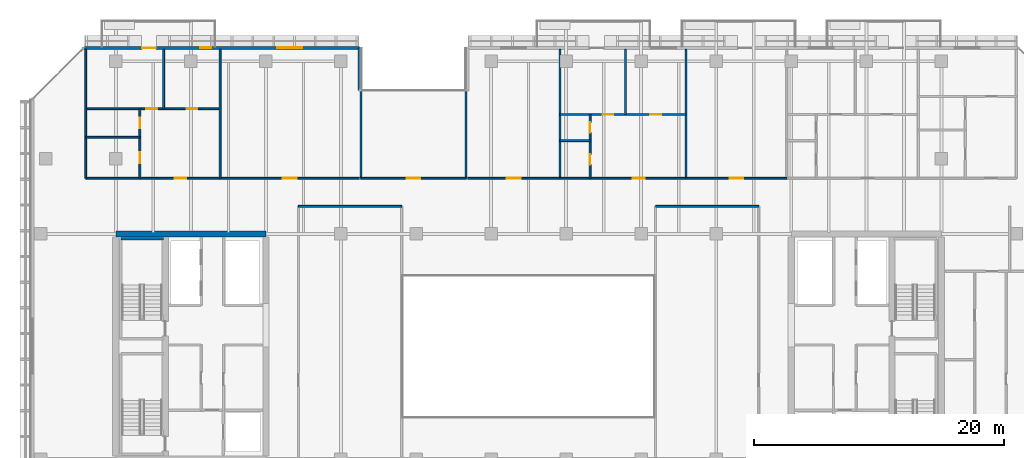
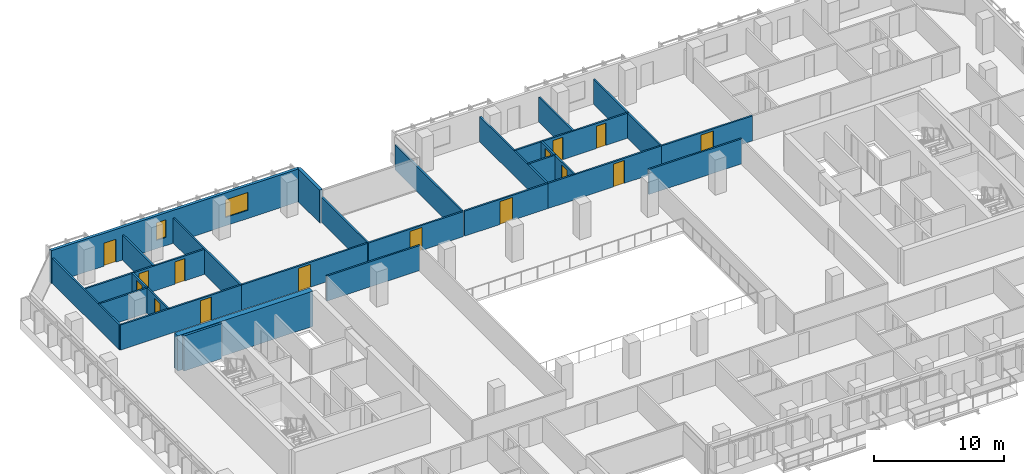
# One storey, part 26 of 35: 26 walls, 15 doors, 2 windows, 17 openings.
"""IFC4 building model written with IfcOpenShell, lengths in metres."""

from ifc_helpers import new_model, si_unit, direction, frame, frame_2d, origin, place, context, subcontext, project, spatial, rectangle, extrude, material, layer, layer_set, type_object, element, fill, save


model = new_model("IFC4")

# Units and contexts
model_context = context("Model", 3, precision=1e-05, world=origin(), true_north=direction((0.0, 1.0)))
body_context = subcontext(model_context, "Body", "Model", "MODEL_VIEW")
ifc_project = project(units=[si_unit("LENGTHUNIT", "METRE"), si_unit("AREAUNIT", "SQUARE_METRE"), si_unit("VOLUMEUNIT", "CUBIC_METRE"), si_unit("PLANEANGLEUNIT", "RADIAN"), si_unit("MASSUNIT", "GRAM", prefix="KILO")], contexts=[model_context])

# Site, building, storey
site_placement = place(None, origin())
site = spatial("IfcSite", under=ifc_project, at=site_placement, CompositionType="ELEMENT")
building_placement = place(site_placement, origin())
building = spatial("IfcBuilding", under=site, at=building_placement, Name="Tanjung Sevakor Pilgrim Tower", CompositionType="ELEMENT")
storey_placement = place(building_placement, frame((0.0, 0.0, 92.070068359375)))
storey = spatial("IfcBuildingStorey", under=building, at=storey_placement, Name="L25", CompositionType="ELEMENT", Elevation=92.070068359375)

# Walls
ifc_material_1 = material(Name="Concrete C60/75", Category="concrete")
ifc_layer_1 = layer(ifc_material_1, 0.5)
ifc_layer_set_1 = layer_set([ifc_layer_1], Name="WALL-CW-500")
wall_type_1 = type_object("IfcWallType", Name="WALL-CW-500", PredefinedType="SHEAR", material=ifc_layer_set_1)
wall_1_placement = place(storey_placement, frame((36.0, 42.60009765625, 0.0), z_axis=(0.0, 0.0, 1.0), x_axis=(-1.0, 0.0, 0.0)))
element("IfcWall", 1, at=wall_1_placement, inside=storey, type_object=wall_type_1, Name="L25 W Core North Shear Wall", PredefinedType="SHEAR", context=body_context, shape_type="SweptSolid", body=[
    extrude(rectangle(XDim=12.0, YDim=0.5, at=frame_2d((6.0, 0.0))), origin(), (0.0, 0.0, 1.0), 3.300048828125),
])
ifc_material_2 = material(Name="Concrete C40/50", Category="concrete")
ifc_layer_2 = layer(ifc_material_2, 0.14990234375)
ifc_layer_set_2 = layer_set([ifc_layer_2], Name="WT-COMP-150")
wall_type_2 = type_object("IfcWallType", Name="WT-COMP-150", PredefinedType="SOLIDWALL", material=ifc_layer_set_2)
for number, where, z_axis, x_axis, name in (
    (2, (38.60009765625, 44.800048828125, 0.0), (0.0, 0.0, 1.0), (1.0, 0.0, 0.0), "L25 Partition IW-L25-022"),
    (3, (67.14990234375, 44.800048828125, 0.0), (0.0, 0.0, 1.0), (1.0, 0.0, 0.0), "L25 Partition IW-L25-026"),
):
    element("IfcWall", number, at=place(storey_placement, frame(where, z_axis=z_axis, x_axis=x_axis)), inside=storey, type_object=wall_type_2, Name=name, PredefinedType="SOLIDWALL", context=body_context, shape_type="SweptSolid", body=[
        extrude(rectangle(XDim=8.25, YDim=0.14990234375, at=frame_2d((4.125, 0.0))), origin(), (0.0, 0.0, 1.0), 2.35009765625),
    ])

# Wall, opening, door
wall_2_placement = place(storey_placement, frame((43.60009765625, 47.050048828125, 0.0), z_axis=(0.0, 0.0, 1.0), x_axis=(1.0, 0.0, 0.0)))
wall_2 = element("IfcWall", 4, at=wall_2_placement, inside=storey, type_object=wall_type_2, Name="L25 Partition IW-L25-040", PredefinedType="SOLIDWALL", context=body_context, shape_type="SweptSolid", body=[
    extrude(rectangle(XDim=8.39990234375, YDim=0.14990234375, at=frame_2d((4.199951171875, 0.0))), origin(), (0.0, 0.0, 1.0), 2.35009765625),
])
opening_1_placement = place(wall_2_placement, frame((3.64990234375, 0.0, 0.0)))
opening_1 = element("IfcOpeningElement", 5, at=opening_1_placement, cuts=wall_2, Name="Opening ID-RM2", PredefinedType="OPENING", context=body_context, shape_type="SweptSolid", body=[
    extrude(rectangle(XDim=1.10009765625, YDim=2.14990234375, at=frame_2d((0.550048828125, 1.074951171875))), frame((0.0, 0.0849609375, 0.0), z_axis=(0.0, -1.0, 0.0), x_axis=(1.0, 0.0, 0.0)), (0.0, 0.0, 1.0), 0.169921875),
])
ifc_material_3 = material(Name="Hardwood Timber", Category="wood")
door_type_1 = type_object("IfcDoorType", Name="DT-INT-1100", OperationType="NOTDEFINED", PredefinedType="DOOR", material=ifc_material_3)
door_1_placement = place(opening_1_placement, origin())
door_1 = element("IfcDoor", 6, at=door_1_placement, inside=storey, type_object=door_type_1, Name="L25 North Cleft Reading Room Door", OperationType="SINGLE_SWING_RIGHT", OverallHeight=2.14990234375, OverallWidth=1.10009765625, PredefinedType="DOOR", context=body_context, shape_type="SweptSolid", body=[
    extrude(rectangle(XDim=1.10009765625, YDim=2.14990234375, at=frame_2d((0.550048828125, 1.074951171875))), frame((0.0, 0.02490234375, 0.0), z_axis=(0.0, -1.0, 0.0), x_axis=(1.0, 0.0, 0.0)), (0.0, 0.0, 1.0), 0.050048828125),
])
fill(opening_1, door_1)

# Walls
for number, where, z_axis, x_axis, name in (
    (7, (43.60009765625, 47.050048828125, 0.0), (0.0, 0.0, 1.0), (0.0, 1.0, 0.0), "L25 Partition IW-L25-041"),
    (8, (52.0, 47.050048828125, 0.0), (0.0, 0.0, 1.0), (0.0, 1.0, 0.0), "L25 Partition IW-L25-042"),
    (9, (21.60009765625, 47.050048828125, 0.0), (0.0, 0.0, 1.0), (0.0, 1.0, 0.0), "L25 Partition IW-L25-075"),
    (10, (32.335693359375, 47.050048828125, 0.0), (0.0, 0.0, 1.0), (0.0, 1.0, 0.0), "L25 Partition IW-L25-076"),
):
    element("IfcWall", number, at=place(storey_placement, frame(where, z_axis=z_axis, x_axis=x_axis)), inside=storey, type_object=wall_type_2, Name=name, PredefinedType="SOLIDWALL", context=body_context, shape_type="SweptSolid", body=[
        extrude(rectangle(XDim=10.300048828125, YDim=0.14990234375, at=frame_2d((5.14990234375, 0.0))), origin(), (0.0, 0.0, 1.0), 2.35009765625),
    ])

# Wall, opening, door
wall_3_placement = place(storey_placement, frame((21.60009765625, 47.050048828125, 0.0), z_axis=(0.0, 0.0, 1.0), x_axis=(1.0, 0.0, 0.0)))
wall_3 = element("IfcWall", 11, at=wall_3_placement, inside=storey, type_object=wall_type_2, Name="L25 Partition IW-L25-081", PredefinedType="SOLIDWALL", context=body_context, shape_type="SweptSolid", body=[
    extrude(rectangle(XDim=10.735595703125, YDim=0.14990234375, at=frame_2d((5.36767578125, 0.0))), origin(), (0.0, 0.0, 1.0), 2.35009765625),
])
opening_2_placement = place(wall_3_placement, frame((7.093017578125, 0.0, 0.0)))
opening_2 = element("IfcOpeningElement", 12, at=opening_2_placement, cuts=wall_3, Name="Opening ID-FD2", PredefinedType="OPENING", context=body_context, shape_type="SweptSolid", body=[
    extrude(rectangle(XDim=0.949951171875, YDim=2.14990234375, at=frame_2d((0.47509765625, 1.074951171875))), frame((0.0, 0.0849609375, 0.0), z_axis=(0.0, -1.0, 0.0), x_axis=(1.0, 0.0, 0.0)), (0.0, 0.0, 1.0), 0.169921875),
])
ifc_material_4 = material(Name="Fire-Rated Timber", Category="wood")
door_type_2 = type_object("IfcDoorType", Name="DT-FIRE-950", OperationType="NOTDEFINED", PredefinedType="DOOR", material=ifc_material_4)
door_2_placement = place(opening_2_placement, origin())
door_2 = element("IfcDoor", 13, at=door_2_placement, inside=storey, type_object=door_type_2, Name="Suite Entrance", OperationType="SINGLE_SWING_RIGHT", OverallHeight=2.14990234375, OverallWidth=0.949951171875, PredefinedType="DOOR", context=body_context, shape_type="SweptSolid", body=[
    extrude(rectangle(XDim=0.949951171875, YDim=2.14990234375, at=frame_2d((0.47509765625, 1.074951171875))), frame((0.0, 0.02490234375, 0.0), z_axis=(0.0, -1.0, 0.0), x_axis=(1.0, 0.0, 0.0)), (0.0, 0.0, 1.0), 0.050048828125),
])
fill(opening_2, door_2)

wall_4_placement = place(storey_placement, frame((32.335693359375, 47.050048828125, 0.0), z_axis=(0.0, 0.0, 1.0), x_axis=(1.0, 0.0, 0.0)))
wall_4 = element("IfcWall", 14, at=wall_4_placement, inside=storey, type_object=wall_type_2, Name="L25 Partition IW-L25-082", PredefinedType="SOLIDWALL", context=body_context, shape_type="SweptSolid", body=[
    extrude(rectangle(XDim=11.144287109375, YDim=0.14990234375, at=frame_2d((5.572265625, 0.0))), origin(), (0.0, 0.0, 1.0), 2.35009765625),
])
opening_3_placement = place(wall_4_placement, frame((5.022216796875, 0.0, 0.0)))
opening_3 = element("IfcOpeningElement", 15, at=opening_3_placement, cuts=wall_4, Name="Opening ID-FD0", PredefinedType="OPENING", context=body_context, shape_type="SweptSolid", body=[
    extrude(rectangle(XDim=1.10009765625, YDim=2.14990234375, at=frame_2d((0.550048828125, 1.074951171875))), frame((0.0, 0.0849609375, 0.0), z_axis=(0.0, -1.0, 0.0), x_axis=(1.0, 0.0, 0.0)), (0.0, 0.0, 1.0), 0.169921875),
])
ifc_material_5 = material(Name="Fire-Rated Steel S355J2", Category="steel")
door_type_3 = type_object("IfcDoorType", Name="DT-FIRE-1100", OperationType="NOTDEFINED", PredefinedType="DOOR", material=ifc_material_5)
door_3_placement = place(opening_3_placement, origin())
door_3 = element("IfcDoor", 16, at=door_3_placement, inside=storey, type_object=door_type_3, Name="Seminar Room Door", OperationType="SINGLE_SWING_LEFT", OverallHeight=2.14990234375, OverallWidth=1.10009765625, PredefinedType="DOOR", context=body_context, shape_type="SweptSolid", body=[
    extrude(rectangle(XDim=1.10009765625, YDim=2.14990234375, at=frame_2d((0.550048828125, 1.074951171875))), frame((0.0, 0.02490234375, 0.0), z_axis=(0.0, -1.0, 0.0), x_axis=(1.0, 0.0, 0.0)), (0.0, 0.0, 1.0), 0.050048828125),
])
fill(opening_3, door_3)

# Wall
wall_5_placement = place(storey_placement, frame((59.508056640625, 47.050048828125, 0.0), z_axis=(0.0, 0.0, 1.0), x_axis=(0.0, 1.0, 0.0)))
element("IfcWall", 17, at=wall_5_placement, inside=storey, type_object=wall_type_2, Name="L25 Partition IW-L25-084", PredefinedType="SOLIDWALL", context=body_context, shape_type="SweptSolid", body=[
    extrude(rectangle(XDim=10.300048828125, YDim=0.14990234375, at=frame_2d((5.14990234375, 0.0))), origin(), (0.0, 0.0, 1.0), 2.35009765625),
])

# Wall, opening, door
wall_6_placement = place(storey_placement, frame((52.1201171875, 47.050048828125, 0.0), z_axis=(0.0, 0.0, 1.0), x_axis=(1.0, 0.0, 0.0)))
wall_6 = element("IfcWall", 18, at=wall_6_placement, inside=storey, type_object=wall_type_2, Name="L25 Partition IW-L25-085", PredefinedType="SOLIDWALL", context=body_context, shape_type="SweptSolid", body=[
    extrude(rectangle(XDim=7.387939453125, YDim=0.14990234375, at=frame_2d((3.69384765625, 0.0))), origin(), (0.0, 0.0, 1.0), 2.35009765625),
])
opening_4_placement = place(wall_6_placement, frame((3.14404296875, 0.0, 0.0)))
opening_4 = element("IfcOpeningElement", 19, at=opening_4_placement, cuts=wall_6, Name="Opening ID-FD0", PredefinedType="OPENING", context=body_context, shape_type="SweptSolid", body=[
    extrude(rectangle(XDim=1.10009765625, YDim=2.14990234375, at=frame_2d((0.550048828125, 1.074951171875))), frame((0.0, 0.0849609375, 0.0), z_axis=(0.0, -1.0, 0.0), x_axis=(1.0, 0.0, 0.0)), (0.0, 0.0, 1.0), 0.169921875),
])
door_4_placement = place(opening_4_placement, origin())
door_4 = element("IfcDoor", 20, at=door_4_placement, inside=storey, type_object=door_type_3, Name="Council Room Door", OperationType="SINGLE_SWING_RIGHT", OverallHeight=2.14990234375, OverallWidth=1.10009765625, PredefinedType="DOOR", context=body_context, shape_type="SweptSolid", body=[
    extrude(rectangle(XDim=1.10009765625, YDim=2.14990234375, at=frame_2d((0.550048828125, 1.074951171875))), frame((0.0, 0.02490234375, 0.0), z_axis=(0.0, -1.0, 0.0), x_axis=(1.0, 0.0, 0.0)), (0.0, 0.0, 1.0), 0.050048828125),
])
fill(opening_4, door_4)

# Wall
wall_7_placement = place(storey_placement, frame((69.58251953125, 47.050048828125, 0.0), z_axis=(0.0, 0.0, 1.0), x_axis=(0.0, 1.0, 0.0)))
element("IfcWall", 21, at=wall_7_placement, inside=storey, type_object=wall_type_2, Name="L25 Partition IW-L25-086", PredefinedType="SOLIDWALL", context=body_context, shape_type="SweptSolid", body=[
    extrude(rectangle(XDim=10.300048828125, YDim=0.14990234375, at=frame_2d((5.14990234375, 0.0))), origin(), (0.0, 0.0, 1.0), 2.35009765625),
])

# Wall, opening, door
wall_8_placement = place(storey_placement, frame((59.508056640625, 47.050048828125, 0.0), z_axis=(0.0, 0.0, 1.0), x_axis=(1.0, 0.0, 0.0)))
wall_8 = element("IfcWall", 22, at=wall_8_placement, inside=storey, type_object=wall_type_2, Name="L25 Partition IW-L25-091", PredefinedType="SOLIDWALL", context=body_context, shape_type="SweptSolid", body=[
    extrude(rectangle(XDim=10.074462890625, YDim=0.14990234375, at=frame_2d((5.037109375, 0.0))), origin(), (0.0, 0.0, 1.0), 2.35009765625),
])
opening_5_placement = place(wall_8_placement, frame((5.808349609375, 0.0, 0.0)))
opening_5 = element("IfcOpeningElement", 23, at=opening_5_placement, cuts=wall_8, Name="Opening ID-FD2", PredefinedType="OPENING", context=body_context, shape_type="SweptSolid", body=[
    extrude(rectangle(XDim=0.949951171875, YDim=2.14990234375, at=frame_2d((0.47509765625, 1.074951171875))), frame((0.0, 0.0849609375, 0.0), z_axis=(0.0, -1.0, 0.0), x_axis=(1.0, 0.0, 0.0)), (0.0, 0.0, 1.0), 0.169921875),
])
door_5_placement = place(opening_5_placement, origin())
door_5 = element("IfcDoor", 24, at=door_5_placement, inside=storey, type_object=door_type_2, Name="Suite Entrance", OperationType="SINGLE_SWING_LEFT", OverallHeight=2.14990234375, OverallWidth=0.949951171875, PredefinedType="DOOR", context=body_context, shape_type="SweptSolid", body=[
    extrude(rectangle(XDim=0.949951171875, YDim=2.14990234375, at=frame_2d((0.47509765625, 1.074951171875))), frame((0.0, 0.02490234375, 0.0), z_axis=(0.0, -1.0, 0.0), x_axis=(1.0, 0.0, 0.0)), (0.0, 0.0, 1.0), 0.050048828125),
])
fill(opening_5, door_5)

wall_9_placement = place(storey_placement, frame((69.58251953125, 47.050048828125, 0.0), z_axis=(0.0, 0.0, 1.0), x_axis=(1.0, 0.0, 0.0)))
wall_9 = element("IfcWall", 25, at=wall_9_placement, inside=storey, type_object=wall_type_2, Name="L25 Partition IW-L25-093", PredefinedType="SOLIDWALL", context=body_context, shape_type="SweptSolid", body=[
    extrude(rectangle(XDim=8.0595703125, YDim=0.14990234375, at=frame_2d((4.02978515625, 0.0))), origin(), (0.0, 0.0, 1.0), 2.35009765625),
])
opening_6_placement = place(wall_9_placement, frame((3.479736328125, 0.0, 0.0)))
opening_6 = element("IfcOpeningElement", 26, at=opening_6_placement, cuts=wall_9, Name="Opening ID-FD0", PredefinedType="OPENING", context=body_context, shape_type="SweptSolid", body=[
    extrude(rectangle(XDim=1.10009765625, YDim=2.14990234375, at=frame_2d((0.550048828125, 1.074951171875))), frame((0.0, 0.0849609375, 0.0), z_axis=(0.0, -1.0, 0.0), x_axis=(1.0, 0.0, 0.0)), (0.0, 0.0, 1.0), 0.169921875),
])
door_6_placement = place(opening_6_placement, origin())
door_6 = element("IfcDoor", 27, at=door_6_placement, inside=storey, type_object=door_type_3, Name="Council Room Door", OperationType="SINGLE_SWING_RIGHT", OverallHeight=2.14990234375, OverallWidth=1.10009765625, PredefinedType="DOOR", context=body_context, shape_type="SweptSolid", body=[
    extrude(rectangle(XDim=1.10009765625, YDim=2.14990234375, at=frame_2d((0.550048828125, 1.074951171875))), frame((0.0, 0.02490234375, 0.0), z_axis=(0.0, -1.0, 0.0), x_axis=(1.0, 0.0, 0.0)), (0.0, 0.0, 1.0), 0.050048828125),
])
fill(opening_6, door_6)

# Wall
ifc_material_6 = material(Name="Precast concrete C45/55", Category="concrete")
ifc_layer_3 = layer(ifc_material_6, 0.25)
ifc_layer_set_3 = layer_set([ifc_layer_3], Name="WT-EW-STN3")
wall_type_3 = type_object("IfcWallType", Name="WT-EW-STN3", PredefinedType="SOLIDWALL", material=ifc_layer_set_3)
wall_10_placement = place(storey_placement, frame((43.47509765625, 54.074951171875, 0.0), z_axis=(0.0, 0.0, 1.0), x_axis=(0.0, 1.0, 0.0)))
element("IfcWall", 28, at=wall_10_placement, inside=storey, type_object=wall_type_3, Name="L25 MAIN Exterior Wall 12", PredefinedType="SOLIDWALL", context=body_context, shape_type="SweptSolid", body=[
    extrude(rectangle(XDim=3.400146484375, YDim=0.25, at=frame_2d((1.7001953125, 0.0))), origin(), (0.0, 0.0, 1.0), 3.080078125),
])

# Wall, openings, door, windows
wall_11_placement = place(storey_placement, frame((43.47509765625, 57.47509765625, 0.0), z_axis=(0.0, 0.0, 1.0), x_axis=(-1.0, 0.0, 0.0)))
wall_11 = element("IfcWall", 29, at=wall_11_placement, inside=storey, type_object=wall_type_3, Name="L25 MAIN Exterior Wall 13", PredefinedType="SOLIDWALL", context=body_context, shape_type="SweptSolid", body=[
    extrude(rectangle(XDim=22.023193359375, YDim=0.25, at=frame_2d((11.01171875, 0.0))), origin(), (0.0, 0.0, 1.0), 3.080078125),
])
opening_7_placement = place(wall_11_placement, frame((16.27490234375, 0.0, 0.0)))
opening_7 = element("IfcOpeningElement", 30, at=opening_7_placement, cuts=wall_11, Name="Opening ED-BAL-1100", PredefinedType="OPENING", context=body_context, shape_type="SweptSolid", body=[
    extrude(rectangle(XDim=1.10009765625, YDim=2.14990234375, at=frame_2d((0.550048828125, 1.074951171875))), frame((0.0, 0.135009765625, 0.0), z_axis=(0.0, -1.0, 0.0), x_axis=(1.0, 0.0, 0.0)), (0.0, 0.0, 1.0), 0.27001953125),
])
opening_8_placement = place(wall_11_placement, frame((11.862060546875, 0.0, 0.780029296875)))
opening_8 = element("IfcOpeningElement", 31, at=opening_8_placement, cuts=wall_11, Name="Opening WN-SLM", PredefinedType="OPENING", context=body_context, shape_type="SweptSolid", body=[
    extrude(rectangle(XDim=0.85009765625, YDim=1.64990234375, at=frame_2d((0.425048828125, 0.824951171875))), frame((0.0, 0.135009765625, 0.0), z_axis=(0.0, -1.0, 0.0), x_axis=(1.0, 0.0, 0.0)), (0.0, 0.0, 1.0), 0.27001953125),
])
opening_9_placement = place(wall_11_placement, frame((4.567138671875, 0.0, 0.780029296875)))
opening_9 = element("IfcOpeningElement", 32, at=opening_9_placement, cuts=wall_11, Name="Opening WN-Z2-1660", PredefinedType="OPENING", context=body_context, shape_type="SweptSolid", body=[
    extrude(rectangle(XDim=2.0, YDim=1.659912109375, at=frame_2d((1.0, 0.830078125))), frame((0.0, 0.135009765625, 0.0), z_axis=(0.0, -1.0, 0.0), x_axis=(1.0, 0.0, 0.0)), (0.0, 0.0, 1.0), 0.27001953125),
])
ifc_material_7 = material(Name="Anodised Aluminium and Laminated Glass", Category="aluminium")
door_type_4 = type_object("IfcDoorType", Name="DTYP-ED-BAL-1100", OperationType="NOTDEFINED", PredefinedType="DOOR", material=ifc_material_7)
door_7_placement = place(opening_7_placement, frame((1.10009765625, 0.0, 0.0), z_axis=(0.0, 0.0, 1.0), x_axis=(-1.0, 0.0, 0.0)))
door_7 = element("IfcDoor", 33, at=door_7_placement, inside=storey, type_object=door_type_4, Name="L25 Balcony Door MAIN-N1", OperationType="SINGLE_SWING_LEFT", OverallHeight=2.14990234375, OverallWidth=1.10009765625, PredefinedType="DOOR", context=body_context, shape_type="SweptSolid", body=[
    extrude(rectangle(XDim=1.10009765625, YDim=2.14990234375, at=frame_2d((0.550048828125, 1.074951171875))), frame((0.0, 0.02490234375, 0.0), z_axis=(0.0, -1.0, 0.0), x_axis=(1.0, 0.0, 0.0)), (0.0, 0.0, 1.0), 0.050048828125),
])
fill(opening_7, door_7)
ifc_material_8 = material(Name="Thermally Broken Aluminium and Low-E Glass", Category="aluminium")
window_type_1 = type_object("IfcWindowType", Name="WTYP-WN-SLM", PartitioningType="SINGLE_PANEL", PredefinedType="WINDOW", material=ifc_material_8)
window_1_placement = place(opening_8_placement, origin())
window_1 = element("IfcWindow", 34, at=window_1_placement, inside=storey, type_object=window_type_1, Name="L25 Facade Window 01", OverallHeight=1.64990234375, OverallWidth=0.85009765625, PartitioningType="SINGLE_PANEL", PredefinedType="WINDOW", context=body_context, shape_type="SweptSolid", body=[
    extrude(rectangle(XDim=0.85009765625, YDim=1.64990234375, at=frame_2d((0.425048828125, 0.824951171875))), frame((0.0, 0.030029296875, 0.0), z_axis=(0.0, -1.0, 0.0), x_axis=(1.0, 0.0, 0.0)), (0.0, 0.0, 1.0), 0.06005859375),
])
fill(opening_8, window_1)
ifc_material_9 = material(Name="Thermally Broken Aluminium and Low-E Glass", Category="aluminium")
window_type_2 = type_object("IfcWindowType", Name="WTYP-WN-Z2-1660", PartitioningType="DOUBLE_PANEL_VERTICAL", PredefinedType="WINDOW", material=ifc_material_9)
window_2_placement = place(opening_9_placement, origin())
window_2 = element("IfcWindow", 35, at=window_2_placement, inside=storey, type_object=window_type_2, Name="L25 Facade Window 02", OverallHeight=1.659912109375, OverallWidth=2.0, PartitioningType="SINGLE_PANEL", PredefinedType="WINDOW", context=body_context, shape_type="SweptSolid", body=[
    extrude(rectangle(XDim=2.0, YDim=1.659912109375, at=frame_2d((1.0, 0.830078125))), frame((0.0, 0.030029296875, 0.0), z_axis=(0.0, -1.0, 0.0), x_axis=(1.0, 0.0, 0.0)), (0.0, 0.0, 1.0), 0.06005859375),
])
fill(opening_9, window_2)

# Walls
ifc_material_10 = material(Name="Concrete C40/50", Category="concrete")
ifc_layer_4 = layer(ifc_material_10, 0.199951171875)
ifc_layer_set_4 = layer_set([ifc_layer_4], Name="WT-FIRE-200")
wall_type_4 = type_object("IfcWallType", Name="WT-FIRE-200", PredefinedType="SOLIDWALL", material=ifc_layer_set_4)
wall_12_placement = place(storey_placement, frame((27.800048828125, 42.199951171875, 0.0), z_axis=(0.0, 0.0, 1.0), x_axis=(-1.0, 0.0, 0.0)))
element("IfcWall", 36, at=wall_12_placement, inside=storey, type_object=wall_type_4, Name="L25 TS-W2 Shaft Wall 2", PredefinedType="SOLIDWALL", context=body_context, shape_type="SweptSolid", body=[
    extrude(rectangle(XDim=3.400146484375, YDim=0.199951171875, at=frame_2d((1.7001953125, 0.0))), origin(), (0.0, 0.0, 1.0), 3.300048828125),
])
ifc_material_11 = material(Name="Gypsum Board Partition", Category="gypsum board")
ifc_layer_5 = layer(ifc_material_11, 0.14990234375)
ifc_layer_set_5 = layer_set([ifc_layer_5], Name="WT-PART-150")
wall_type_5 = type_object("IfcWallType", Name="WT-PART-150", PredefinedType="PARTITIONING", material=ifc_layer_set_5)
wall_13_placement = place(storey_placement, frame((21.60009765625, 50.32861328125, 0.0), z_axis=(0.0, 0.0, 1.0), x_axis=(1.0, 0.0, 0.0)))
element("IfcWall", 37, at=wall_13_placement, inside=storey, type_object=wall_type_5, Name="L25 Partition IW-L25-077", PredefinedType="PARTITIONING", context=body_context, shape_type="SweptSolid", body=[
    extrude(rectangle(XDim=4.31982421875, YDim=0.14990234375, at=frame_2d((2.159912109375, 0.0))), origin(), (0.0, 0.0, 1.0), 2.35009765625),
])

# Wall, openings, doors
wall_14_placement = place(storey_placement, frame((25.919921875, 47.050048828125, 0.0), z_axis=(0.0, 0.0, 1.0), x_axis=(0.0, 1.0, 0.0)))
wall_14 = element("IfcWall", 38, at=wall_14_placement, inside=storey, type_object=wall_type_5, Name="L25 Partition IW-L25-078", PredefinedType="PARTITIONING", context=body_context, shape_type="SweptSolid", body=[
    extrude(rectangle(XDim=5.55712890625, YDim=0.14990234375, at=frame_2d((2.778564453125, 0.0))), origin(), (0.0, 0.0, 1.0), 2.35009765625),
])
opening_10_placement = place(wall_14_placement, frame((1.21435546875, 0.0, 0.0)))
opening_10 = element("IfcOpeningElement", 39, at=opening_10_placement, cuts=wall_14, Name="Opening ID-WC1", PredefinedType="OPENING", context=body_context, shape_type="SweptSolid", body=[
    extrude(rectangle(XDim=0.85009765625, YDim=2.10009765625, at=frame_2d((0.425048828125, 1.050048828125))), frame((0.0, 0.0849609375, 0.0), z_axis=(0.0, -1.0, 0.0), x_axis=(1.0, 0.0, 0.0)), (0.0, 0.0, 1.0), 0.169921875),
])
opening_11_placement = place(wall_14_placement, frame((3.992919921875, 0.0, 0.0)))
opening_11 = element("IfcOpeningElement", 40, at=opening_11_placement, cuts=wall_14, Name="Opening ID-WC1", PredefinedType="OPENING", context=body_context, shape_type="SweptSolid", body=[
    extrude(rectangle(XDim=0.85009765625, YDim=2.10009765625, at=frame_2d((0.425048828125, 1.050048828125))), frame((0.0, 0.0849609375, 0.0), z_axis=(0.0, -1.0, 0.0), x_axis=(1.0, 0.0, 0.0)), (0.0, 0.0, 1.0), 0.169921875),
])
ifc_material_12 = material(Name="Moisture-Resistant Timber", Category="wood")
door_type_5 = type_object("IfcDoorType", Name="DT-INT-850", OperationType="NOTDEFINED", PredefinedType="DOOR", material=ifc_material_12)
door_8_placement = place(opening_10_placement, origin())
door_8 = element("IfcDoor", 41, at=door_8_placement, inside=storey, type_object=door_type_5, Name="Suite Kitchenette Door", OperationType="SINGLE_SWING_RIGHT", OverallHeight=2.10009765625, OverallWidth=0.85009765625, PredefinedType="DOOR", context=body_context, shape_type="SweptSolid", body=[
    extrude(rectangle(XDim=0.85009765625, YDim=2.10009765625, at=frame_2d((0.425048828125, 1.050048828125))), frame((0.0, 0.02490234375, 0.0), z_axis=(0.0, -1.0, 0.0), x_axis=(1.0, 0.0, 0.0)), (0.0, 0.0, 1.0), 0.050048828125),
])
fill(opening_10, door_8)
door_9_placement = place(opening_11_placement, origin())
door_9 = element("IfcDoor", 42, at=door_9_placement, inside=storey, type_object=door_type_5, Name="Suite Bathroom Door", OperationType="SINGLE_SWING_LEFT", OverallHeight=2.10009765625, OverallWidth=0.85009765625, PredefinedType="DOOR", context=body_context, shape_type="SweptSolid", body=[
    extrude(rectangle(XDim=0.85009765625, YDim=2.10009765625, at=frame_2d((0.425048828125, 1.050048828125))), frame((0.0, 0.02490234375, 0.0), z_axis=(0.0, -1.0, 0.0), x_axis=(1.0, 0.0, 0.0)), (0.0, 0.0, 1.0), 0.050048828125),
])
fill(opening_11, door_9)

# Wall
wall_15_placement = place(storey_placement, frame((27.820068359375, 52.607177734375, 0.0), z_axis=(0.0, 0.0, 1.0), x_axis=(0.0, 1.0, 0.0)))
element("IfcWall", 43, at=wall_15_placement, inside=storey, type_object=wall_type_5, Name="L25 Partition IW-L25-079", PredefinedType="PARTITIONING", context=body_context, shape_type="SweptSolid", body=[
    extrude(rectangle(XDim=4.742919921875, YDim=0.14990234375, at=frame_2d((2.37158203125, 0.0))), origin(), (0.0, 0.0, 1.0), 2.35009765625),
])

# Wall, openings, doors
wall_16_placement = place(storey_placement, frame((21.60009765625, 52.607177734375, 0.0), z_axis=(0.0, 0.0, 1.0), x_axis=(1.0, 0.0, 0.0)))
wall_16 = element("IfcWall", 44, at=wall_16_placement, inside=storey, type_object=wall_type_5, Name="L25 Partition IW-L25-080", PredefinedType="PARTITIONING", context=body_context, shape_type="SweptSolid", body=[
    extrude(rectangle(XDim=10.735595703125, YDim=0.14990234375, at=frame_2d((5.36767578125, 0.0))), origin(), (0.0, 0.0, 1.0), 2.35009765625),
])
opening_12_placement = place(wall_16_placement, frame((4.844970703125, 0.0, 0.0)))
opening_12 = element("IfcOpeningElement", 45, at=opening_12_placement, cuts=wall_16, Name="Opening ID-WC1", PredefinedType="OPENING", context=body_context, shape_type="SweptSolid", body=[
    extrude(rectangle(XDim=0.85009765625, YDim=2.10009765625, at=frame_2d((0.425048828125, 1.050048828125))), frame((0.0, 0.0849609375, 0.0), z_axis=(0.0, -1.0, 0.0), x_axis=(1.0, 0.0, 0.0)), (0.0, 0.0, 1.0), 0.169921875),
])
opening_13_placement = place(wall_16_placement, frame((8.052978515625, 0.0, 0.0)))
opening_13 = element("IfcOpeningElement", 46, at=opening_13_placement, cuts=wall_16, Name="Opening ID-WC1", PredefinedType="OPENING", context=body_context, shape_type="SweptSolid", body=[
    extrude(rectangle(XDim=0.85009765625, YDim=2.10009765625, at=frame_2d((0.425048828125, 1.050048828125))), frame((0.0, 0.0849609375, 0.0), z_axis=(0.0, -1.0, 0.0), x_axis=(1.0, 0.0, 0.0)), (0.0, 0.0, 1.0), 0.169921875),
])
door_10_placement = place(opening_12_placement, origin())
door_10 = element("IfcDoor", 47, at=door_10_placement, inside=storey, type_object=door_type_5, Name="Suite Bedroom 1 Door", OperationType="SINGLE_SWING_RIGHT", OverallHeight=2.10009765625, OverallWidth=0.85009765625, PredefinedType="DOOR", context=body_context, shape_type="SweptSolid", body=[
    extrude(rectangle(XDim=0.85009765625, YDim=2.10009765625, at=frame_2d((0.425048828125, 1.050048828125))), frame((0.0, 0.02490234375, 0.0), z_axis=(0.0, -1.0, 0.0), x_axis=(1.0, 0.0, 0.0)), (0.0, 0.0, 1.0), 0.050048828125),
])
fill(opening_12, door_10)
door_11_placement = place(opening_13_placement, origin())
door_11 = element("IfcDoor", 48, at=door_11_placement, inside=storey, type_object=door_type_5, Name="Suite Bedroom 2 Door", OperationType="SINGLE_SWING_LEFT", OverallHeight=2.10009765625, OverallWidth=0.85009765625, PredefinedType="DOOR", context=body_context, shape_type="SweptSolid", body=[
    extrude(rectangle(XDim=0.85009765625, YDim=2.10009765625, at=frame_2d((0.425048828125, 1.050048828125))), frame((0.0, 0.02490234375, 0.0), z_axis=(0.0, -1.0, 0.0), x_axis=(1.0, 0.0, 0.0)), (0.0, 0.0, 1.0), 0.050048828125),
])
fill(opening_13, door_11)

# Wall
wall_17_placement = place(storey_placement, frame((59.508056640625, 50.05908203125, 0.0), z_axis=(0.0, 0.0, 1.0), x_axis=(1.0, 0.0, 0.0)))
element("IfcWall", 49, at=wall_17_placement, inside=storey, type_object=wall_type_5, Name="L25 Partition IW-L25-087", PredefinedType="PARTITIONING", context=body_context, shape_type="SweptSolid", body=[
    extrude(rectangle(XDim=2.411865234375, YDim=0.14990234375, at=frame_2d((1.2060546875, 0.0))), origin(), (0.0, 0.0, 1.0), 2.35009765625),
])

# Wall, openings, doors
wall_18_placement = place(storey_placement, frame((61.919921875, 47.050048828125, 0.0), z_axis=(0.0, 0.0, 1.0), x_axis=(0.0, 1.0, 0.0)))
wall_18 = element("IfcWall", 50, at=wall_18_placement, inside=storey, type_object=wall_type_5, Name="L25 Partition IW-L25-088", PredefinedType="PARTITIONING", context=body_context, shape_type="SweptSolid", body=[
    extrude(rectangle(XDim=5.099853515625, YDim=0.14990234375, at=frame_2d((2.5498046875, 0.0))), origin(), (0.0, 0.0, 1.0), 2.35009765625),
])
opening_14_placement = place(wall_18_placement, frame((1.07958984375, 0.0, 0.0)))
opening_14 = element("IfcOpeningElement", 51, at=opening_14_placement, cuts=wall_18, Name="Opening ID-WC1", PredefinedType="OPENING", context=body_context, shape_type="SweptSolid", body=[
    extrude(rectangle(XDim=0.85009765625, YDim=2.10009765625, at=frame_2d((0.425048828125, 1.050048828125))), frame((0.0, 0.0849609375, 0.0), z_axis=(0.0, -1.0, 0.0), x_axis=(1.0, 0.0, 0.0)), (0.0, 0.0, 1.0), 0.169921875),
])
opening_15_placement = place(wall_18_placement, frame((3.62939453125, 0.0, 0.0)))
opening_15 = element("IfcOpeningElement", 52, at=opening_15_placement, cuts=wall_18, Name="Opening ID-WC1", PredefinedType="OPENING", context=body_context, shape_type="SweptSolid", body=[
    extrude(rectangle(XDim=0.85009765625, YDim=2.10009765625, at=frame_2d((0.425048828125, 1.050048828125))), frame((0.0, 0.0849609375, 0.0), z_axis=(0.0, -1.0, 0.0), x_axis=(1.0, 0.0, 0.0)), (0.0, 0.0, 1.0), 0.169921875),
])
door_12_placement = place(opening_14_placement, origin())
door_12 = element("IfcDoor", 53, at=door_12_placement, inside=storey, type_object=door_type_5, Name="Suite Kitchenette Door", OperationType="SINGLE_SWING_LEFT", OverallHeight=2.10009765625, OverallWidth=0.85009765625, PredefinedType="DOOR", context=body_context, shape_type="SweptSolid", body=[
    extrude(rectangle(XDim=0.85009765625, YDim=2.10009765625, at=frame_2d((0.425048828125, 1.050048828125))), frame((0.0, 0.02490234375, 0.0), z_axis=(0.0, -1.0, 0.0), x_axis=(1.0, 0.0, 0.0)), (0.0, 0.0, 1.0), 0.050048828125),
])
fill(opening_14, door_12)
door_13_placement = place(opening_15_placement, origin())
door_13 = element("IfcDoor", 54, at=door_13_placement, inside=storey, type_object=door_type_5, Name="Suite Bathroom Door", OperationType="SINGLE_SWING_RIGHT", OverallHeight=2.10009765625, OverallWidth=0.85009765625, PredefinedType="DOOR", context=body_context, shape_type="SweptSolid", body=[
    extrude(rectangle(XDim=0.85009765625, YDim=2.10009765625, at=frame_2d((0.425048828125, 1.050048828125))), frame((0.0, 0.02490234375, 0.0), z_axis=(0.0, -1.0, 0.0), x_axis=(1.0, 0.0, 0.0)), (0.0, 0.0, 1.0), 0.050048828125),
])
fill(opening_15, door_13)

# Wall
wall_19_placement = place(storey_placement, frame((64.74658203125, 52.14990234375, 0.0), z_axis=(0.0, 0.0, 1.0), x_axis=(0.0, 1.0, 0.0)))
element("IfcWall", 55, at=wall_19_placement, inside=storey, type_object=wall_type_5, Name="L25 Partition IW-L25-089", PredefinedType="PARTITIONING", context=body_context, shape_type="SweptSolid", body=[
    extrude(rectangle(XDim=5.2001953125, YDim=0.14990234375, at=frame_2d((2.60009765625, 0.0))), origin(), (0.0, 0.0, 1.0), 2.35009765625),
])

# Wall, openings, doors
wall_20_placement = place(storey_placement, frame((59.508056640625, 52.14990234375, 0.0), z_axis=(0.0, 0.0, 1.0), x_axis=(1.0, 0.0, 0.0)))
wall_20 = element("IfcWall", 56, at=wall_20_placement, inside=storey, type_object=wall_type_5, Name="L25 Partition IW-L25-090", PredefinedType="PARTITIONING", context=body_context, shape_type="SweptSolid", body=[
    extrude(rectangle(XDim=10.074462890625, YDim=0.14990234375, at=frame_2d((5.037109375, 0.0))), origin(), (0.0, 0.0, 1.0), 2.35009765625),
])
opening_16_placement = place(wall_20_placement, frame((3.400390625, 0.0, 0.0)))
opening_16 = element("IfcOpeningElement", 57, at=opening_16_placement, cuts=wall_20, Name="Opening ID-WC1", PredefinedType="OPENING", context=body_context, shape_type="SweptSolid", body=[
    extrude(rectangle(XDim=0.85009765625, YDim=2.10009765625, at=frame_2d((0.425048828125, 1.050048828125))), frame((0.0, 0.0849609375, 0.0), z_axis=(0.0, -1.0, 0.0), x_axis=(1.0, 0.0, 0.0)), (0.0, 0.0, 1.0), 0.169921875),
])
opening_17_placement = place(wall_20_placement, frame((7.231689453125, 0.0, 0.0)))
opening_17 = element("IfcOpeningElement", 58, at=opening_17_placement, cuts=wall_20, Name="Opening ID-WC1", PredefinedType="OPENING", context=body_context, shape_type="SweptSolid", body=[
    extrude(rectangle(XDim=0.85009765625, YDim=2.10009765625, at=frame_2d((0.425048828125, 1.050048828125))), frame((0.0, 0.0849609375, 0.0), z_axis=(0.0, -1.0, 0.0), x_axis=(1.0, 0.0, 0.0)), (0.0, 0.0, 1.0), 0.169921875),
])
door_14_placement = place(opening_16_placement, origin())
door_14 = element("IfcDoor", 59, at=door_14_placement, inside=storey, type_object=door_type_5, Name="Suite Bedroom 1 Door", OperationType="SINGLE_SWING_LEFT", OverallHeight=2.10009765625, OverallWidth=0.85009765625, PredefinedType="DOOR", context=body_context, shape_type="SweptSolid", body=[
    extrude(rectangle(XDim=0.85009765625, YDim=2.10009765625, at=frame_2d((0.425048828125, 1.050048828125))), frame((0.0, 0.02490234375, 0.0), z_axis=(0.0, -1.0, 0.0), x_axis=(1.0, 0.0, 0.0)), (0.0, 0.0, 1.0), 0.050048828125),
])
fill(opening_16, door_14)
door_15_placement = place(opening_17_placement, origin())
door_15 = element("IfcDoor", 60, at=door_15_placement, inside=storey, type_object=door_type_5, Name="Suite Bedroom 2 Door", OperationType="SINGLE_SWING_RIGHT", OverallHeight=2.10009765625, OverallWidth=0.85009765625, PredefinedType="DOOR", context=body_context, shape_type="SweptSolid", body=[
    extrude(rectangle(XDim=0.85009765625, YDim=2.10009765625, at=frame_2d((0.425048828125, 1.050048828125))), frame((0.0, 0.02490234375, 0.0), z_axis=(0.0, -1.0, 0.0), x_axis=(1.0, 0.0, 0.0)), (0.0, 0.0, 1.0), 0.050048828125),
])
fill(opening_17, door_15)

save(model, "model.ifc")
